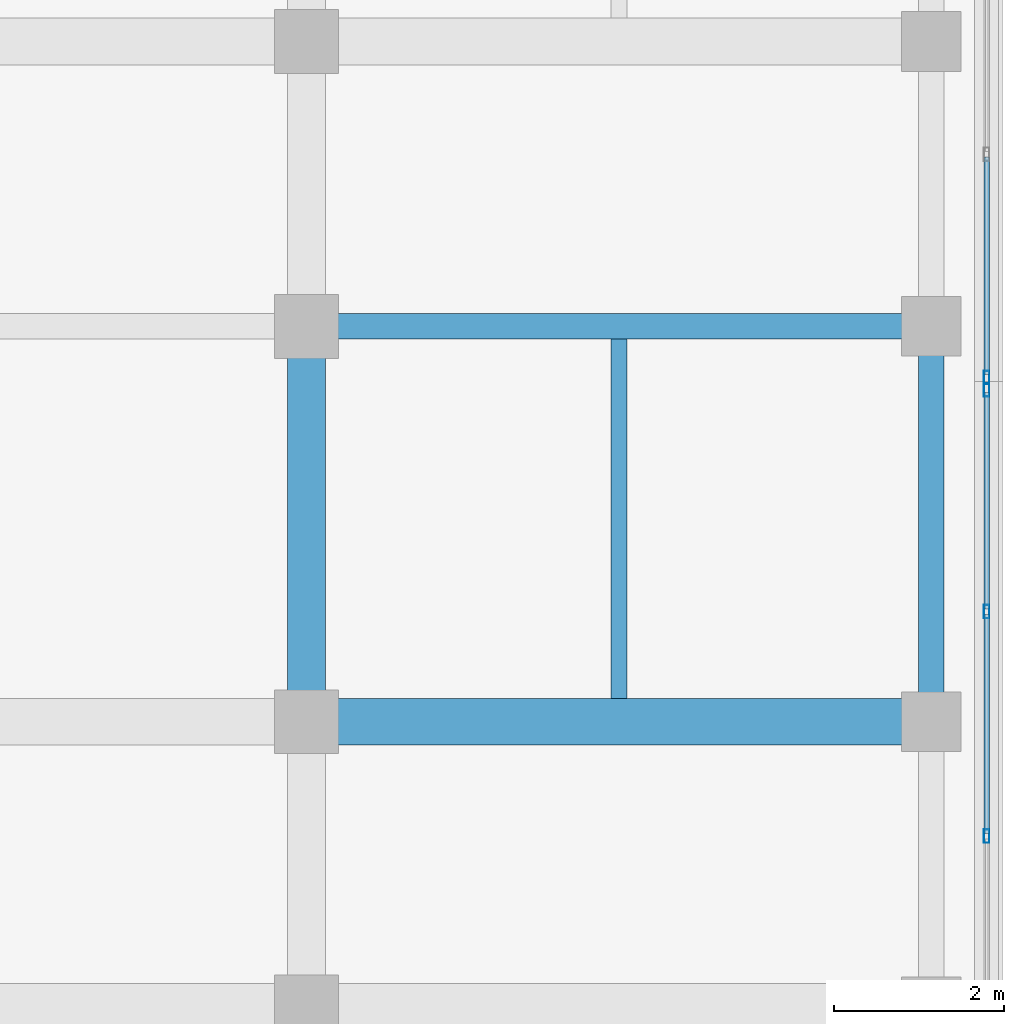
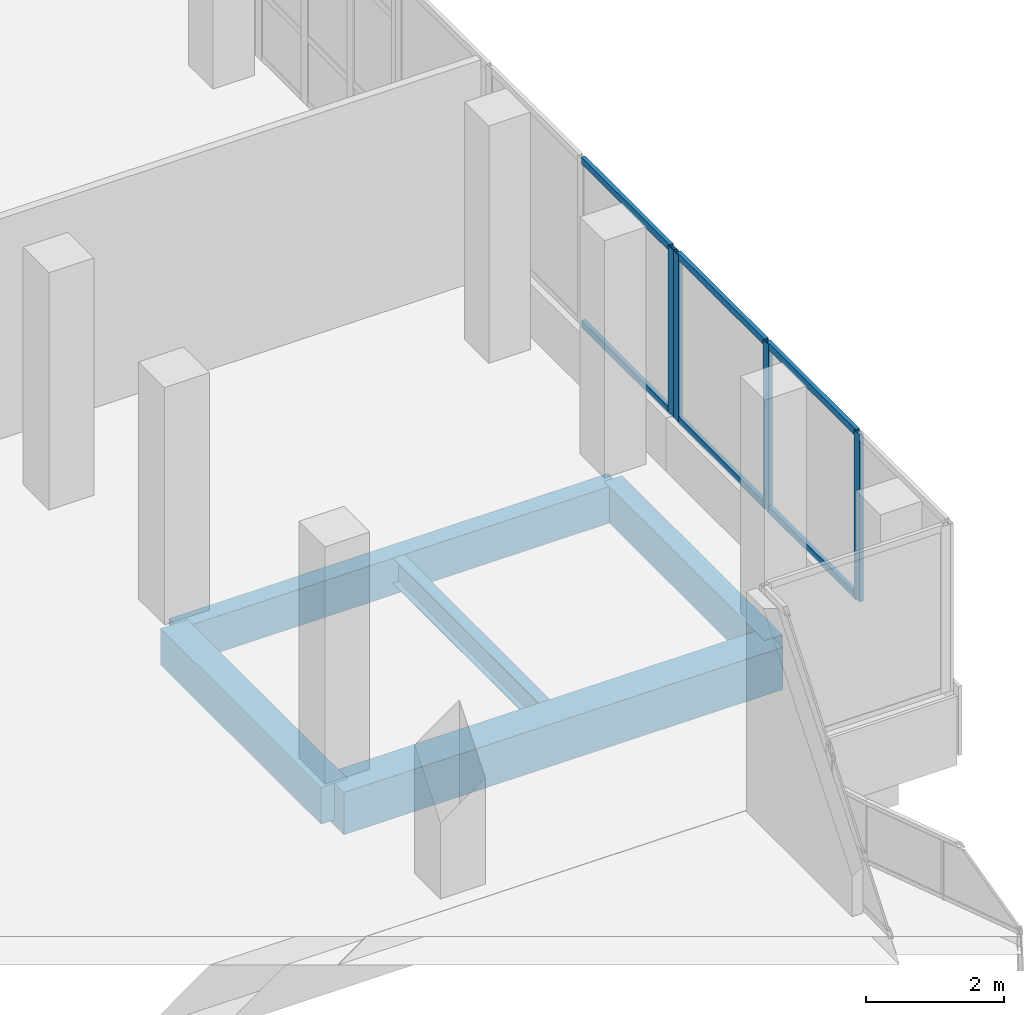
# One storey, part 129 of 184: 10 members, 5 beams, 2 elements without a shape of their own.
"""IFC4 building model written with IfcOpenShell, lengths in metres."""

from ifc_helpers import new_model, si_unit, direction, frame, origin, origin_2d, place, context, subcontext, project, spatial, rectangle, hollow_rectangle, i_section, extrude, material, material_profile, profile_set, type_object, element, aggregate, save


model = new_model("IFC4")

# Units and contexts
model_context = context("Model", 3, precision=1e-05, world=origin(), true_north=direction((0.0, 1.0)))
body_context = subcontext(model_context, "Body", "Model", "MODEL_VIEW")
ifc_project = project(units=[si_unit("LENGTHUNIT", "METRE"), si_unit("AREAUNIT", "SQUARE_METRE"), si_unit("VOLUMEUNIT", "CUBIC_METRE"), si_unit("PLANEANGLEUNIT", "RADIAN"), si_unit("MASSUNIT", "GRAM", prefix="KILO")], contexts=[model_context])

# Site, building, storey
site_placement = place(None, origin())
site = spatial("IfcSite", under=ifc_project, at=site_placement, CompositionType="ELEMENT")
building_placement = place(site_placement, origin())
building = spatial("IfcBuilding", under=site, at=building_placement, Name="Selatvlak General Hospital", CompositionType="ELEMENT")
storey_placement = place(building_placement, frame((0.0, 0.0, 15.0)))
storey = spatial("IfcBuildingStorey", under=building, at=storey_placement, Name="L03", CompositionType="ELEMENT", Elevation=15.0)

# Beams
ifc_material_1 = material(Name="Concrete C40/50", Category="concrete")
ifc_material_profile_1 = material_profile(ifc_material_1, rectangle(XDim=0.550048828125, YDim=0.75, at=origin_2d()), Name="RC-BM 550x750")
ifc_profile_set_1 = profile_set([ifc_material_profile_1], Name="Concrete C40/50")
beam_type_1 = type_object("IfcBeamType", Name="BM-G02", PredefinedType="BEAM", material=ifc_profile_set_1)
beam_1_placement = place(storey_placement, frame((174.0, 68.0, -0.715087890625), z_axis=(1.0, 0.0, 0.0), x_axis=(0.0, 1.0, 0.0)))
element("IfcBeam", 1, at=beam_1_placement, inside=storey, type_object=beam_type_1, Name="Beam BMR-L03-1163", PredefinedType="BEAM", context=body_context, shape_type="SweptSolid", body=[
    extrude(rectangle(XDim=0.550048828125, YDim=0.75, at=origin_2d()), origin(), (0.0, 0.0, 1.0), 7.35009765625),
])
ifc_material_profile_2 = material_profile(ifc_material_1, rectangle(XDim=0.449951171875, YDim=0.64990234375, at=origin_2d()), Name="RC-BM 450x650")
ifc_profile_set_2 = profile_set([ifc_material_profile_2], Name="Concrete C40/50")
beam_type_2 = type_object("IfcBeamType", Name="BM-G04", PredefinedType="BEAM", material=ifc_profile_set_2)
beam_2_placement = place(storey_placement, frame((174.0, 68.0, -0.6650390625), z_axis=(0.0, 1.0, 0.0), x_axis=(-1.0, 0.0, 0.0)))
element("IfcBeam", 2, at=beam_2_placement, inside=storey, type_object=beam_type_2, Name="Beam BMR-L03-1410", PredefinedType="BEAM", context=body_context, shape_type="SweptSolid", body=[
    extrude(rectangle(XDim=0.449951171875, YDim=0.64990234375, at=origin_2d()), origin(), (0.0, 0.0, 1.0), 4.64990234375),
])
ifc_material_2 = material(Name="Steel S355", Category="steel")
ifc_material_profile_3 = material_profile(ifc_material_2, i_section(OverallWidth=0.1904296875, OverallDepth=0.45703125, WebThickness=0.009033203125, FlangeThickness=0.014404296875, at=origin_2d()), Name="UB 457x191x74")
ifc_profile_set_3 = profile_set([ifc_material_profile_3], Name="Steel S355")
beam_type_3 = type_object("IfcBeamType", Name="BM-J03", PredefinedType="JOIST", material=ifc_profile_set_3)
beam_3_placement = place(storey_placement, frame((177.675048828125, 68.27490234375, -0.569091796875), z_axis=(0.0, 1.0, 0.0), x_axis=(-1.0, 0.0, 0.0)))
element("IfcBeam", 3, at=beam_3_placement, inside=storey, type_object=beam_type_3, Name="Beam BMR-L03-1431", PredefinedType="JOIST", context=body_context, shape_type="SweptSolid", body=[
    extrude(i_section(OverallWidth=0.1904296875, OverallDepth=0.45703125, WebThickness=0.009033203125, FlangeThickness=0.014404296875, at=origin_2d()), origin(), (0.0, 0.0, 1.0), 4.22509765625),
])
ifc_material_profile_4 = material_profile(ifc_material_1, rectangle(XDim=0.300048828125, YDim=0.64990234375, at=origin_2d()), Name="RC-SP 300x650")
ifc_profile_set_4 = profile_set([ifc_material_profile_4], Name="Concrete C40/50")
beam_type_4 = type_object("IfcBeamType", Name="BM-SP1", PredefinedType="SPANDREL", material=ifc_profile_set_4)
beam_4_placement = place(storey_placement, frame((174.0, 72.64990234375, -0.6650390625), z_axis=(1.0, 0.0, 0.0), x_axis=(0.0, 1.0, 0.0)))
element("IfcBeam", 4, at=beam_4_placement, inside=storey, type_object=beam_type_4, Name="Beam BMR-L03-1171", PredefinedType="SPANDREL", context=body_context, shape_type="SweptSolid", body=[
    extrude(rectangle(XDim=0.300048828125, YDim=0.64990234375, at=origin_2d()), origin(), (0.0, 0.0, 1.0), 7.35009765625),
])
beam_5_placement = place(storey_placement, frame((181.35009765625, 68.0, -0.6650390625), z_axis=(0.0, 1.0, 0.0), x_axis=(-1.0, 0.0, 0.0)))
element("IfcBeam", 5, at=beam_5_placement, inside=storey, type_object=beam_type_4, Name="Beam BMR-L03-1420", PredefinedType="SPANDREL", context=body_context, shape_type="SweptSolid", body=[
    extrude(rectangle(XDim=0.300048828125, YDim=0.64990234375, at=origin_2d()), origin(), (0.0, 0.0, 1.0), 4.64990234375),
])

# Curtain wall, member
ifc_material_3 = material(Name="Solar-control Low-E double glazing", Category="glass")
curtain_wall_type_1 = type_object("IfcCurtainWallType", Name="CW-CW-02", PredefinedType="USERDEFINED", material=ifc_material_3)
curtain_wall_1_placement = place(storey_placement, origin())
curtain_wall_1 = element("IfcCurtainWall", 6, at=curtain_wall_1_placement, inside=storey, type_object=curtain_wall_type_1, Name="Glazed facade curtain wall CW-L03-0389", ObjectType="UNITISED CURTAIN WALL", PredefinedType="USERDEFINED")
ifc_material_4 = material(Name="Dark anodised aluminium mullion", Category="aluminium")
ifc_material_profile_5 = material_profile(ifc_material_4, hollow_rectangle(XDim=0.06494140625, YDim=0.159912109375, WallThickness=0.00390625, at=origin_2d()), Name="AL-MUL 65x160x4")
ifc_profile_set_5 = profile_set([ifc_material_profile_5], Name="Dark anodised aluminium mullion")
member_type_1 = type_object("IfcMemberType", Name="CWM-01", PredefinedType="MULLION", material=ifc_profile_set_5)
member_1_placement = place(storey_placement, frame((182.0, 72.048583984375, 0.93994140625), z_axis=(0.0, 0.0, 1.0), x_axis=(1.0, 0.0, 0.0)))
member_1 = element("IfcMember", 7, at=member_1_placement, type_object=member_type_1, Name="CW-02 mullion 4", PredefinedType="MULLION", context=body_context, shape_type="SweptSolid", body=[
    extrude(hollow_rectangle(XDim=0.06494140625, YDim=0.159912109375, WallThickness=0.00390625, at=origin_2d()), origin(), (0.0, 0.0, 1.0), 2.955078125),
])

# Curtain wall, members
curtain_wall_type_2 = type_object("IfcCurtainWallType", Name="CW-CW-01", PredefinedType="USERDEFINED", material=ifc_material_3)
curtain_wall_2_placement = place(storey_placement, origin())
curtain_wall_2 = element("IfcCurtainWall", 8, at=curtain_wall_2_placement, inside=storey, type_object=curtain_wall_type_2, Name="Glazed facade curtain wall CW-L03-0390", ObjectType="UNITISED CURTAIN WALL", PredefinedType="USERDEFINED")
member_2_placement = place(storey_placement, frame((182.0, 71.903564453125, 0.93994140625), z_axis=(0.0, 0.0, 1.0), x_axis=(1.0, 0.0, 0.0)))
member_2 = element("IfcMember", 9, at=member_2_placement, type_object=member_type_1, Name="CW-01 mullion 1", PredefinedType="MULLION", context=body_context, shape_type="SweptSolid", body=[
    extrude(hollow_rectangle(XDim=0.06494140625, YDim=0.159912109375, WallThickness=0.00390625, at=origin_2d()), origin(), (0.0, 0.0, 1.0), 2.955078125),
])
member_3_placement = place(storey_placement, frame((182.0, 69.2958984375, 0.93994140625), z_axis=(0.0, 0.0, 1.0), x_axis=(1.0, 0.0, 0.0)))
member_3 = element("IfcMember", 10, at=member_3_placement, type_object=member_type_1, Name="CW-01 mullion 2", PredefinedType="MULLION", context=body_context, shape_type="SweptSolid", body=[
    extrude(hollow_rectangle(XDim=0.06494140625, YDim=0.159912109375, WallThickness=0.00390625, at=origin_2d()), origin(), (0.0, 0.0, 1.0), 2.955078125),
])
member_4_placement = place(storey_placement, frame((182.0, 66.656005859375, 0.93994140625), z_axis=(0.0, 0.0, 1.0), x_axis=(1.0, 0.0, 0.0)))
member_4 = element("IfcMember", 11, at=member_4_placement, type_object=member_type_1, Name="CW-01 mullion 3", PredefinedType="MULLION", context=body_context, shape_type="SweptSolid", body=[
    extrude(hollow_rectangle(XDim=0.06494140625, YDim=0.159912109375, WallThickness=0.00390625, at=origin_2d()), origin(), (0.0, 0.0, 1.0), 2.955078125),
])

# Member
ifc_material_profile_6 = material_profile(ifc_material_4, hollow_rectangle(XDim=0.06494140625, YDim=0.1201171875, WallThickness=0.00390625, at=origin_2d()), Name="AL-TRN 65x120x4")
ifc_profile_set_6 = profile_set([ifc_material_profile_6], Name="Dark anodised aluminium mullion")
member_type_2 = type_object("IfcMemberType", Name="CWT-01", PredefinedType="USERDEFINED", material=ifc_profile_set_6)
member_5_placement = place(storey_placement, frame((182.0, 74.64013671875, 0.972412109375), z_axis=(0.0, -1.0, 0.0), x_axis=(1.0, 0.0, 0.0)))
member_5 = element("IfcMember", 12, at=member_5_placement, type_object=member_type_2, Name="CW-02 transom 3.1", ObjectType="TRANSOM", PredefinedType="USERDEFINED", context=body_context, shape_type="SweptSolid", body=[
    extrude(hollow_rectangle(XDim=0.06494140625, YDim=0.1201171875, WallThickness=0.00390625, at=origin_2d()), origin(), (0.0, 0.0, 1.0), 2.55908203125),
])

member_6_placement = place(storey_placement, frame((182.0, 74.64013671875, 3.862548828125), z_axis=(0.0, -1.0, 0.0), x_axis=(1.0, 0.0, 0.0)))
member_6 = element("IfcMember", 13, at=member_6_placement, type_object=member_type_2, Name="CW-02 transom 3.2", ObjectType="TRANSOM", PredefinedType="USERDEFINED", context=body_context, shape_type="SweptSolid", body=[
    extrude(hollow_rectangle(XDim=0.06494140625, YDim=0.1201171875, WallThickness=0.00390625, at=origin_2d()), origin(), (0.0, 0.0, 1.0), 2.55908203125),
])

aggregate(curtain_wall_1, [member_1, member_5, member_6])

member_7_placement = place(storey_placement, frame((182.0, 71.87109375, 0.972412109375), z_axis=(0.0, -1.0, 0.0), x_axis=(1.0, 0.0, 0.0)))
member_7 = element("IfcMember", 14, at=member_7_placement, type_object=member_type_2, Name="CW-01 transom 1.1", ObjectType="TRANSOM", PredefinedType="USERDEFINED", context=body_context, shape_type="SweptSolid", body=[
    extrude(hollow_rectangle(XDim=0.06494140625, YDim=0.1201171875, WallThickness=0.00390625, at=origin_2d()), origin(), (0.0, 0.0, 1.0), 2.54248046875),
])

member_8_placement = place(storey_placement, frame((182.0, 71.87109375, 3.862548828125), z_axis=(0.0, -1.0, 0.0), x_axis=(1.0, 0.0, 0.0)))
member_8 = element("IfcMember", 15, at=member_8_placement, type_object=member_type_2, Name="CW-01 transom 1.2", ObjectType="TRANSOM", PredefinedType="USERDEFINED", context=body_context, shape_type="SweptSolid", body=[
    extrude(hollow_rectangle(XDim=0.06494140625, YDim=0.1201171875, WallThickness=0.00390625, at=origin_2d()), origin(), (0.0, 0.0, 1.0), 2.54248046875),
])

member_9_placement = place(storey_placement, frame((182.0, 69.263427734375, 0.972412109375), z_axis=(0.0, -1.0, 0.0), x_axis=(1.0, 0.0, 0.0)))
member_9 = element("IfcMember", 16, at=member_9_placement, type_object=member_type_2, Name="CW-01 transom 2.1", ObjectType="TRANSOM", PredefinedType="USERDEFINED", context=body_context, shape_type="SweptSolid", body=[
    extrude(hollow_rectangle(XDim=0.06494140625, YDim=0.1201171875, WallThickness=0.00390625, at=origin_2d()), origin(), (0.0, 0.0, 1.0), 2.574951171875),
])

member_10_placement = place(storey_placement, frame((182.0, 69.263427734375, 3.862548828125), z_axis=(0.0, -1.0, 0.0), x_axis=(1.0, 0.0, 0.0)))
member_10 = element("IfcMember", 17, at=member_10_placement, type_object=member_type_2, Name="CW-01 transom 2.2", ObjectType="TRANSOM", PredefinedType="USERDEFINED", context=body_context, shape_type="SweptSolid", body=[
    extrude(hollow_rectangle(XDim=0.06494140625, YDim=0.1201171875, WallThickness=0.00390625, at=origin_2d()), origin(), (0.0, 0.0, 1.0), 2.574951171875),
])

aggregate(curtain_wall_2, [member_2, member_3, member_4, member_7, member_8, member_9, member_10])

save(model, "model.ifc")
